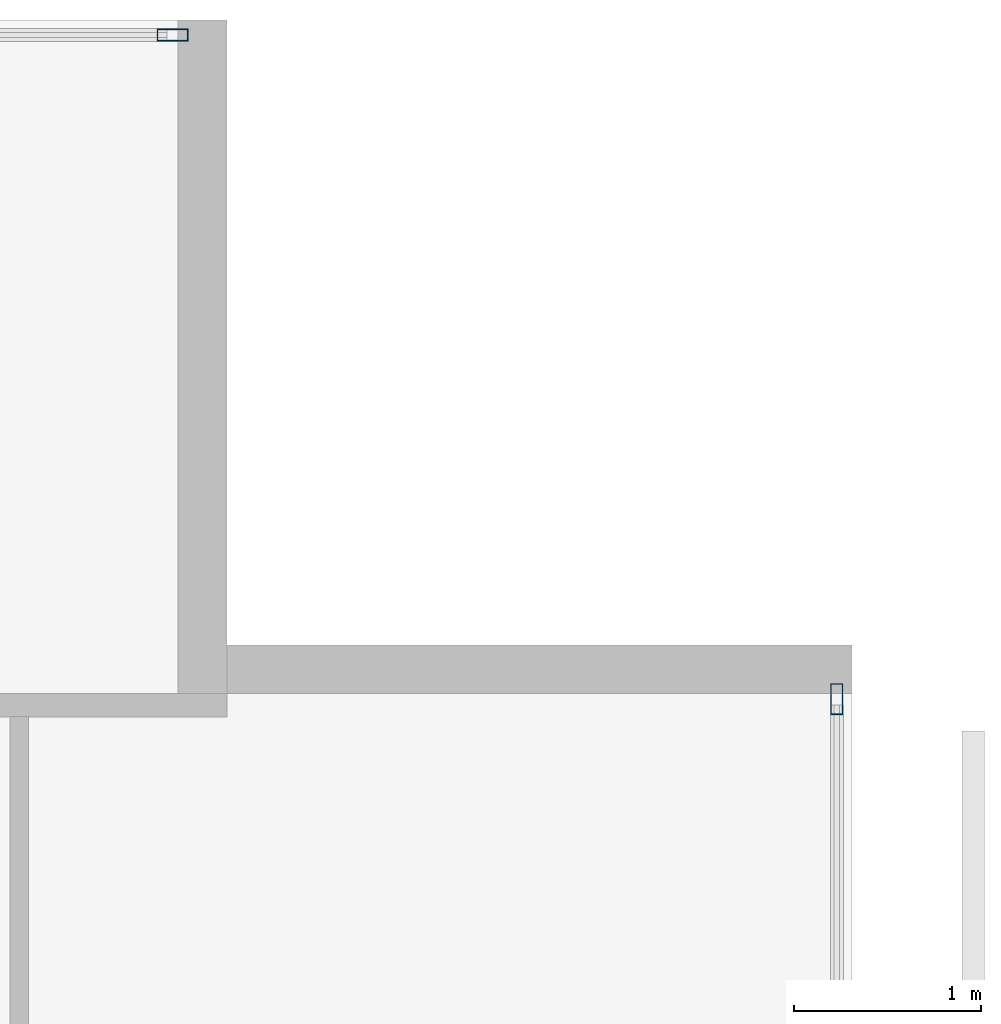
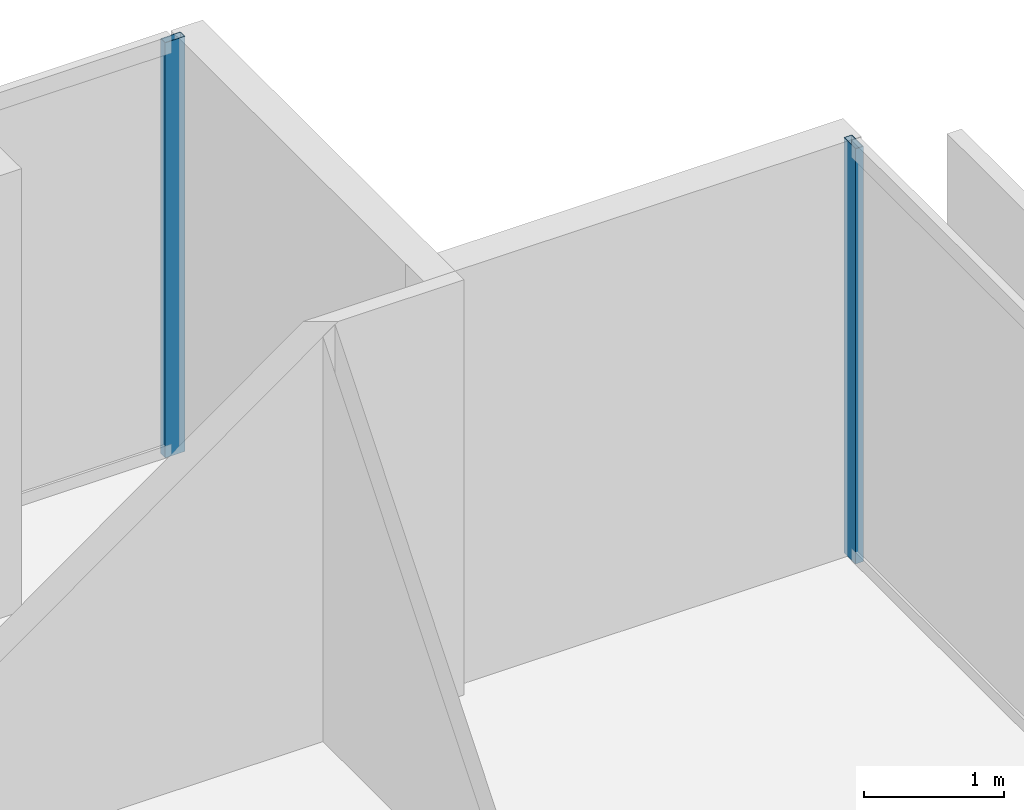
# One storey, part 31 of 40: 2 members, 2 elements without a shape of their own.
"""IFC4 building model written with IfcOpenShell, lengths in metres."""

from ifc_helpers import new_model, si_unit, direction, frame, origin, origin_2d, place, context, subcontext, project, spatial, hollow_rectangle, extrude, material, layer, layer_set, material_profile, profile_set, type_object, element, aggregate, save


model = new_model("IFC4")

# Units and contexts
model_context = context("Model", 3, precision=1e-05, world=origin(), true_north=direction((0.0, 1.0)))
body_context = subcontext(model_context, "Body", "Model", "MODEL_VIEW")
ifc_project = project(units=[si_unit("LENGTHUNIT", "METRE"), si_unit("AREAUNIT", "SQUARE_METRE"), si_unit("VOLUMEUNIT", "CUBIC_METRE"), si_unit("PLANEANGLEUNIT", "RADIAN"), si_unit("MASSUNIT", "GRAM", prefix="KILO")], contexts=[model_context])

# Site, building, storey
site_placement = place(None, origin())
site = spatial("IfcSite", under=ifc_project, at=site_placement, CompositionType="ELEMENT")
building_placement = place(site_placement, origin())
building = spatial("IfcBuilding", under=site, at=building_placement, Name="Maruvema Waterfront Hotel and Observation Tower", CompositionType="ELEMENT")
storey_placement = place(building_placement, frame((0.0, 0.0, 57.75)))
storey = spatial("IfcBuildingStorey", under=building, at=storey_placement, Name="L13", CompositionType="ELEMENT", Elevation=57.75)

# Curtain wall, member
ifc_material_1 = material(Name="Anodised bronze aluminium and solar-control low-E IGU", Category="aluminium")
ifc_layer = layer(ifc_material_1, 0.159912109375, Name="Zone 1 Bronze Inner Thermal Curtain Wall System CW-02")
ifc_layer_set = layer_set([ifc_layer], Name="Anodised bronze aluminium and solar-control low-E IGU")
curtain_wall_type = type_object("IfcCurtainWallType", Name="Zone 1 Bronze Inner Thermal Curtain Wall System CW-02", PredefinedType="USERDEFINED", material=ifc_layer_set)
curtain_wall_1_placement = place(storey_placement, origin())
curtain_wall_1 = element("IfcCurtainWall", 1, at=curtain_wall_1_placement, inside=storey, type_object=curtain_wall_type, Name="L13 Curtain Wall CW-L13-E", ObjectType="UNITISED CURTAIN WALL", PredefinedType="USERDEFINED")
ifc_material_2 = material(Name="Anodised architectural bronze aluminium", Category="aluminium")
ifc_material_profile = material_profile(ifc_material_2, hollow_rectangle(XDim=0.06494140625, YDim=0.1650390625, WallThickness=0.00390625, at=origin_2d()), Name="ALU-M65x165")
ifc_profile_set = profile_set([ifc_material_profile], Name="Anodised architectural bronze aluminium")
member_type = type_object("IfcMemberType", Name="Curtain Wall Primary Mullion ALU-M65x165", PredefinedType="MULLION", material=ifc_profile_set)
member_1_placement = place(storey_placement, frame((64.719970703125, 50.3701171875, 0.0), z_axis=(0.0, 0.0, 1.0), x_axis=(-1.0, 0.0, 0.0)))
member_1 = element("IfcMember", 2, at=member_1_placement, type_object=member_type, Name="CW-02 mullion 7", PredefinedType="MULLION", context=body_context, shape_type="SweptSolid", body=[
    extrude(hollow_rectangle(XDim=0.06494140625, YDim=0.1650390625, WallThickness=0.00390625, at=origin_2d()), origin(), (0.0, 0.0, 1.0), 3.610107421875),
])
aggregate(curtain_wall_1, [member_1])

curtain_wall_2_placement = place(storey_placement, origin())
curtain_wall_2 = element("IfcCurtainWall", 3, at=curtain_wall_2_placement, inside=storey, type_object=curtain_wall_type, Name="L13 Curtain Wall CW-L13-NE", ObjectType="UNITISED CURTAIN WALL", PredefinedType="USERDEFINED")
member_2_placement = place(storey_placement, frame((61.169921875, 53.919921875, 0.0), z_axis=(0.0, 0.0, 1.0), x_axis=(0.0, -1.0, 0.0)))
member_2 = element("IfcMember", 4, at=member_2_placement, type_object=member_type, Name="CW-02 mullion 1", PredefinedType="MULLION", context=body_context, shape_type="SweptSolid", body=[
    extrude(hollow_rectangle(XDim=0.06494140625, YDim=0.1650390625, WallThickness=0.00390625, at=origin_2d()), origin(), (0.0, 0.0, 1.0), 3.610107421875),
])
aggregate(curtain_wall_2, [member_2])

save(model, "model.ifc")
